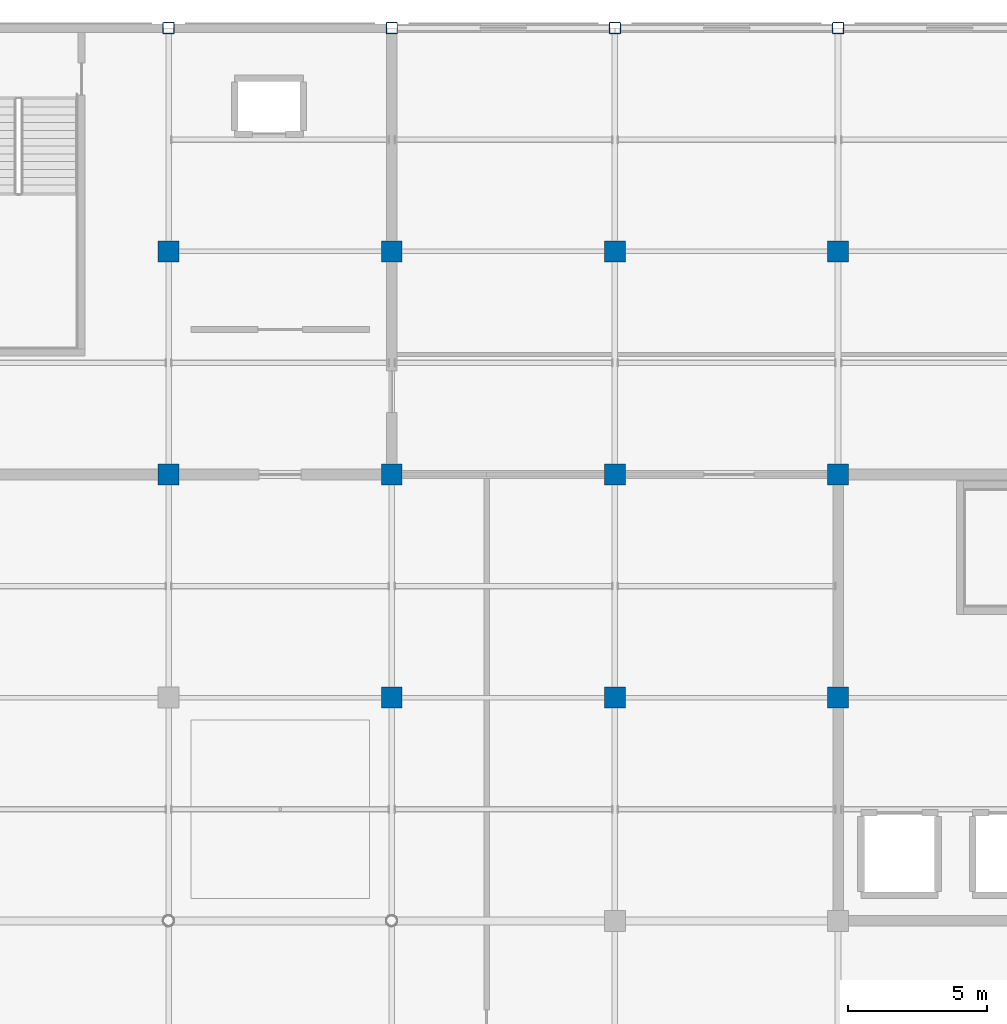
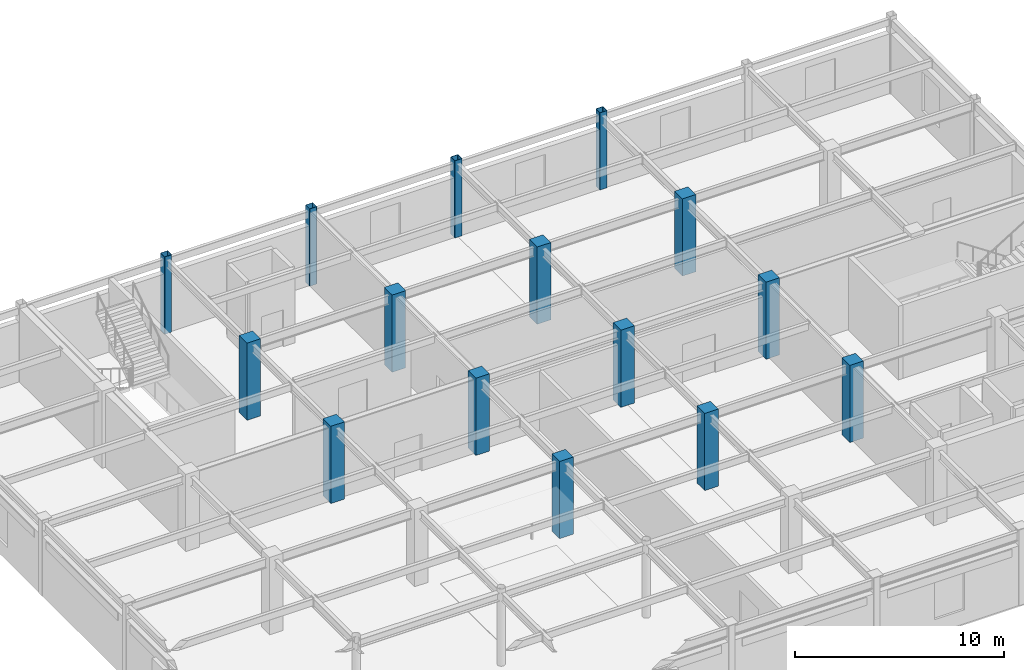
# One storey, part 15 of 93: 15 columns.
"""IFC4 building model written with IfcOpenShell, lengths in metres."""

from ifc_helpers import new_model, si_unit, direction, frame, origin, origin_2d, place, context, subcontext, project, spatial, rectangle, hollow_rectangle, extrude, material, material_profile, profile_set, type_object, element, save


model = new_model("IFC4")

# Units and contexts
model_context = context("Model", 3, precision=1e-05, world=origin(), true_north=direction((0.0, 1.0)))
body_context = subcontext(model_context, "Body", "Model", "MODEL_VIEW")
ifc_project = project(units=[si_unit("LENGTHUNIT", "METRE"), si_unit("AREAUNIT", "SQUARE_METRE"), si_unit("VOLUMEUNIT", "CUBIC_METRE"), si_unit("PLANEANGLEUNIT", "RADIAN"), si_unit("MASSUNIT", "GRAM", prefix="KILO")], contexts=[model_context])

# Site, building, storey
site_placement = place(None, origin())
site = spatial("IfcSite", under=ifc_project, at=site_placement, CompositionType="ELEMENT")
building_placement = place(site_placement, origin())
building = spatial("IfcBuilding", under=site, at=building_placement, Name="Solmirada Galleria", CompositionType="ELEMENT")
storey_placement = place(building_placement, frame((0.0, 0.0, 14.89990234375)))
storey = spatial("IfcBuildingStorey", under=building, at=storey_placement, Name="L03", CompositionType="ELEMENT", Elevation=14.89990234375)

# Columns
ifc_material_1 = material(Name="Steel S355 / ASTM A500 Grade C", Category="steel")
ifc_material_profile_1 = material_profile(ifc_material_1, hollow_rectangle(XDim=0.406005859375, YDim=0.406005859375, WallThickness=0.0146484375, InnerFilletRadius=0.0146484375, OuterFilletRadius=0.029296875, at=origin_2d()), Name="HSS16X16X5/8")
ifc_profile_set_1 = profile_set([ifc_material_profile_1], Name="Steel S355 / ASTM A500 Grade C")
column_type_1 = type_object("IfcColumnType", Name="COL-HSS16", PredefinedType="COLUMN", material=ifc_profile_set_1)
for number, where, z_axis, x_axis, name in (
    (1, (136.0, 120.0, 0.0), (0.0, 0.0, 1.0), (1.0, 0.0, 0.0), "Structural column L03-1200"),
    (2, (144.0, 120.0, 0.0), (0.0, 0.0, 1.0), (1.0, 0.0, 0.0), "Structural column L03-1286"),
    (3, (152.0, 120.0, 0.0), (0.0, 0.0, 1.0), (1.0, 0.0, 0.0), "Structural column L03-1359"),
    (4, (160.0, 120.0, 0.0), (0.0, 0.0, 1.0), (1.0, 0.0, 0.0), "Structural column L03-1432"),
):
    element("IfcColumn", number, at=place(storey_placement, frame(where, z_axis=z_axis, x_axis=x_axis)), inside=storey, type_object=column_type_1, Name=name, PredefinedType="COLUMN", context=body_context, shape_type="SweptSolid", body=[
        extrude(hollow_rectangle(XDim=0.406005859375, YDim=0.406005859375, WallThickness=0.0146484375, InnerFilletRadius=0.0146484375, OuterFilletRadius=0.029296875, at=origin_2d()), origin(), (0.0, 0.0, 1.0), 4.5),
    ])
ifc_material_2 = material(Name="Concrete C40/50", Category="concrete")
ifc_material_profile_2 = material_profile(ifc_material_2, rectangle(XDim=0.75, YDim=0.75, at=origin_2d()), Name="RC750X750")
ifc_profile_set_2 = profile_set([ifc_material_profile_2], Name="Concrete C40/50")
column_type_2 = type_object("IfcColumnType", Name="COL-RC750", PredefinedType="COLUMN", material=ifc_profile_set_2)
for number, where, z_axis, x_axis, name in (
    (5, (136.0, 104.0, 0.0), (0.0, 0.0, 1.0), (1.0, 0.0, 0.0), "Structural column L03-1182"),
    (6, (136.0, 112.0, 0.0), (0.0, 0.0, 1.0), (1.0, 0.0, 0.0), "Structural column L03-1191"),
    (7, (144.0, 96.0, 0.0), (0.0, 0.0, 1.0), (1.0, 0.0, 0.0), "Structural column L03-1259"),
    (8, (144.0, 104.0, 0.0), (0.0, 0.0, 1.0), (1.0, 0.0, 0.0), "Structural column L03-1268"),
    (9, (144.0, 112.0, 0.0), (0.0, 0.0, 1.0), (1.0, 0.0, 0.0), "Structural column L03-1277"),
    (10, (152.0, 96.0, 0.0), (0.0, 0.0, 1.0), (1.0, 0.0, 0.0), "Structural column L03-1332"),
    (11, (152.0, 104.0, 0.0), (0.0, 0.0, 1.0), (1.0, 0.0, 0.0), "Structural column L03-1341"),
    (12, (152.0, 112.0, 0.0), (0.0, 0.0, 1.0), (1.0, 0.0, 0.0), "Structural column L03-1350"),
    (13, (160.0, 96.0, 0.0), (0.0, 0.0, 1.0), (1.0, 0.0, 0.0), "Structural column L03-1405"),
    (14, (160.0, 104.0, 0.0), (0.0, 0.0, 1.0), (1.0, 0.0, 0.0), "Structural column L03-1414"),
    (15, (160.0, 112.0, 0.0), (0.0, 0.0, 1.0), (1.0, 0.0, 0.0), "Structural column L03-1423"),
):
    element("IfcColumn", number, at=place(storey_placement, frame(where, z_axis=z_axis, x_axis=x_axis)), inside=storey, type_object=column_type_2, Name=name, PredefinedType="COLUMN", context=body_context, shape_type="SweptSolid", body=[
        extrude(rectangle(XDim=0.75, YDim=0.75, at=origin_2d()), origin(), (0.0, 0.0, 1.0), 4.5),
    ])

save(model, "model.ifc")
